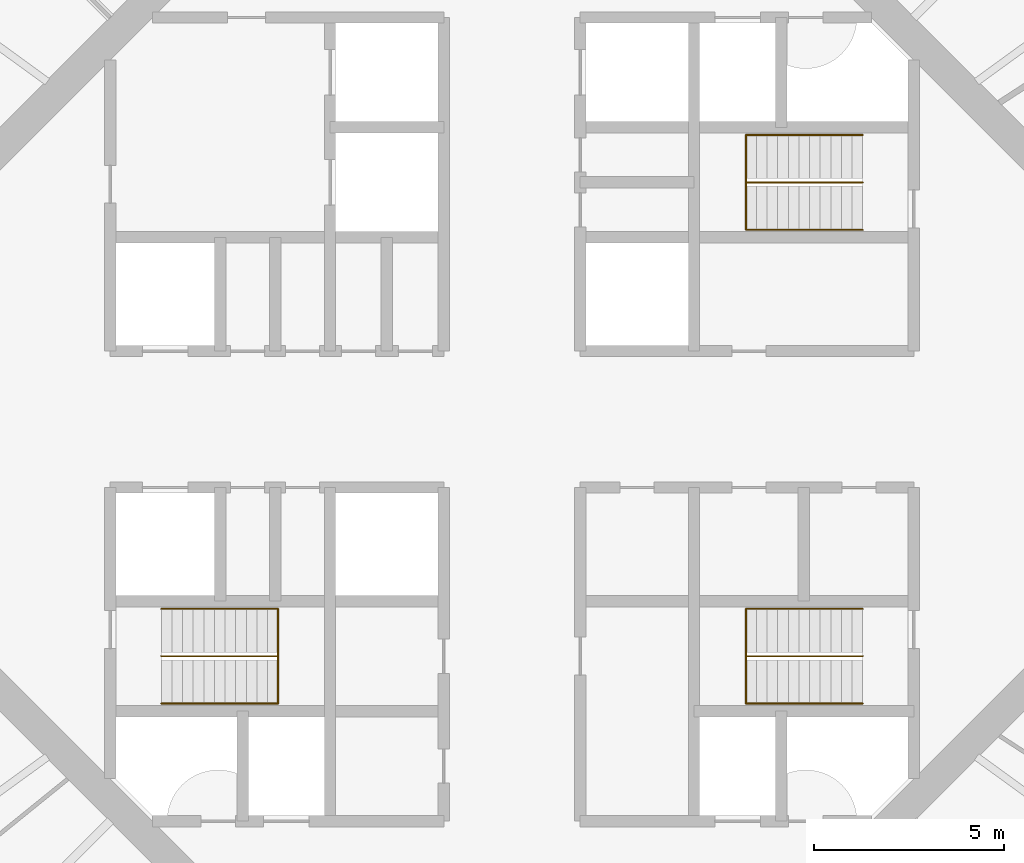
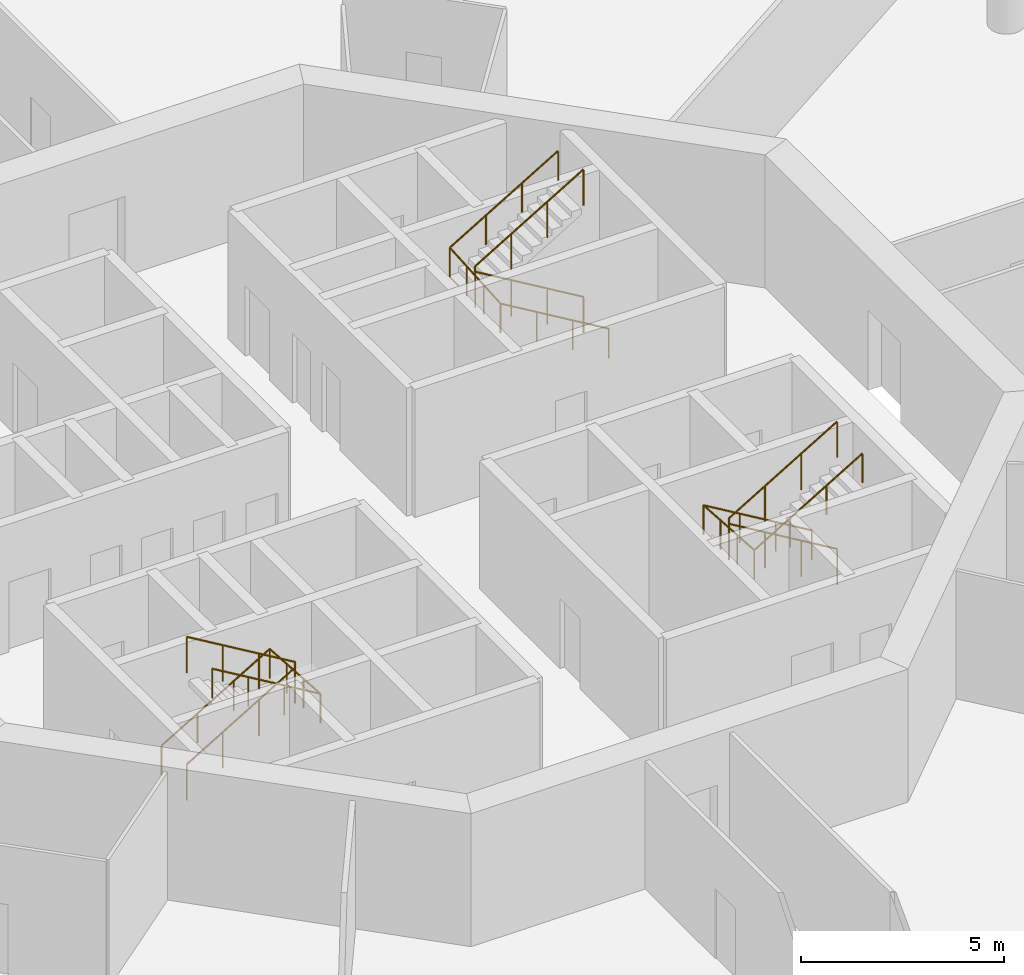
# One storey, part 13 of 13: 6 railings.
"""IFC4 building model written with IfcOpenShell, lengths in metres."""

from ifc_helpers import new_model, si_unit, direction, frame, origin, origin_2d, place, context, subcontext, project, spatial, circle, extrude, material, type_object, element, save


model = new_model("IFC4")

# Units and contexts
model_context = context("Model", 3, precision=1e-05, world=origin(), true_north=direction((0.0, 1.0)))
body_context = subcontext(model_context, "Body", "Model", "MODEL_VIEW")
ifc_project = project(units=[si_unit("LENGTHUNIT", "METRE"), si_unit("AREAUNIT", "SQUARE_METRE"), si_unit("VOLUMEUNIT", "CUBIC_METRE"), si_unit("PLANEANGLEUNIT", "RADIAN"), si_unit("MASSUNIT", "GRAM", prefix="KILO")], contexts=[model_context])

# Site, building, storey
site_placement = place(None, origin())
site = spatial("IfcSite", under=ifc_project, at=site_placement, CompositionType="ELEMENT")
building_placement = place(site_placement, origin())
building = spatial("IfcBuilding", under=site, at=building_placement, Name="Entoto Ring Tower", CompositionType="ELEMENT")
storey_placement = place(building_placement, frame((0.0, 0.0, 302.0)))
storey = spatial("IfcBuildingStorey", under=building, at=storey_placement, Name="L69", CompositionType="ELEMENT", Elevation=302.0)

# Railings
ifc_material_1 = material(Name="Steel S275", Category="steel")
railing_type_1 = type_object("IfcRailingType", Name="Stair guard 1100 mm steel", PredefinedType="GUARDRAIL", material=ifc_material_1)
railing_1_placement = place(storey_placement, frame((99.25, 86.25, 0.166748046875)))
element("IfcRailing", 1, at=railing_1_placement, inside=storey, type_object=railing_type_1, Name="Guard ST1", PredefinedType="GUARDRAIL", context=body_context, shape_type="SweptSolid", body=[
    extrude(circle(Radius=0.02392578125, at=origin_2d()), frame((0.0, 0.0, 1.076171875), z_axis=(-0.859308565015, 0.0, 0.511457515432), x_axis=(0.0, -1.0, 0.0)), (0.0, 0.0, 1.0), 3.58447265625),
    extrude(circle(Radius=0.02392578125, at=origin_2d()), frame((-3.080078125, 0.0, 2.9091796875), z_axis=(0.0, 0.0, 1.0), x_axis=(1.0, 0.0, 0.0)), (0.0, 0.0, 1.0), 0.166748046875),
    extrude(circle(Radius=0.02392578125, at=origin_2d()), frame((-3.080078125, 0.0, 3.076171875), z_axis=(0.859308565015, 0.0, 0.511457515432), x_axis=(0.0, 1.0, 0.0)), (0.0, 0.0, 1.0), 3.58447265625),
    extrude(circle(Radius=0.02099609375, at=origin_2d()), origin(), (0.0, 0.0, 1.0), 1.052001953125),
    extrude(circle(Radius=0.02099609375, at=origin_2d()), frame((-1.026611328125, 0.0, 0.611083984375)), (0.0, 0.0, 1.0), 1.052001953125),
    extrude(circle(Radius=0.02099609375, at=origin_2d()), frame((-2.053466796875, 0.0, 1.22216796875)), (0.0, 0.0, 1.0), 1.052001953125),
    extrude(circle(Radius=0.02099609375, at=origin_2d()), frame((-3.080078125, 0.0, 1.833251953125)), (0.0, 0.0, 1.0), 1.052001953125),
    extrude(circle(Radius=0.02099609375, at=origin_2d()), frame((-3.080078125, 0.0, 2.0)), (0.0, 0.0, 1.0), 1.052001953125),
    extrude(circle(Radius=0.02099609375, at=origin_2d()), frame((-2.053466796875, 0.0, 2.611083984375)), (0.0, 0.0, 1.0), 1.052001953125),
    extrude(circle(Radius=0.02099609375, at=origin_2d()), frame((-1.026611328125, 0.0, 3.22216796875)), (0.0, 0.0, 1.0), 1.052001953125),
    extrude(circle(Radius=0.02099609375, at=origin_2d()), frame((0.0, 0.0, 3.833251953125)), (0.0, 0.0, 1.0), 1.052001953125),
])
railing_2_placement = place(storey_placement, frame((80.75, 73.75, 0.166748046875)))
element("IfcRailing", 2, at=railing_2_placement, inside=storey, type_object=railing_type_1, Name="Guard ST2", PredefinedType="GUARDRAIL", context=body_context, shape_type="SweptSolid", body=[
    extrude(circle(Radius=0.02392578125, at=origin_2d()), frame((0.0, 0.0, 1.076171875), z_axis=(0.859308565015, 0.0, 0.511457515432), x_axis=(0.0, 1.0, 0.0)), (0.0, 0.0, 1.0), 3.58447265625),
    extrude(circle(Radius=0.02392578125, at=origin_2d()), frame((3.080078125, 0.0, 2.9091796875), z_axis=(0.0, 0.0, 1.0), x_axis=(1.0, 0.0, 0.0)), (0.0, 0.0, 1.0), 0.166748046875),
    extrude(circle(Radius=0.02392578125, at=origin_2d()), frame((3.080078125, 0.0, 3.076171875), z_axis=(-0.859308565015, 0.0, 0.511457515432), x_axis=(0.0, -1.0, 0.0)), (0.0, 0.0, 1.0), 3.58447265625),
    extrude(circle(Radius=0.02099609375, at=origin_2d()), origin(), (0.0, 0.0, 1.0), 1.052001953125),
    extrude(circle(Radius=0.02099609375, at=origin_2d()), frame((1.026611328125, 0.0, 0.611083984375)), (0.0, 0.0, 1.0), 1.052001953125),
    extrude(circle(Radius=0.02099609375, at=origin_2d()), frame((2.053466796875, 0.0, 1.22216796875)), (0.0, 0.0, 1.0), 1.052001953125),
    extrude(circle(Radius=0.02099609375, at=origin_2d()), frame((3.080078125, 0.0, 1.833251953125)), (0.0, 0.0, 1.0), 1.052001953125),
    extrude(circle(Radius=0.02099609375, at=origin_2d()), frame((3.080078125, 0.0, 2.0)), (0.0, 0.0, 1.0), 1.052001953125),
    extrude(circle(Radius=0.02099609375, at=origin_2d()), frame((2.053466796875, 0.0, 2.611083984375)), (0.0, 0.0, 1.0), 1.052001953125),
    extrude(circle(Radius=0.02099609375, at=origin_2d()), frame((1.026611328125, 0.0, 3.22216796875)), (0.0, 0.0, 1.0), 1.052001953125),
    extrude(circle(Radius=0.02099609375, at=origin_2d()), frame((0.0, 0.0, 3.833251953125)), (0.0, 0.0, 1.0), 1.052001953125),
])
railing_3_placement = place(storey_placement, frame((99.25, 73.75, 0.166748046875)))
element("IfcRailing", 3, at=railing_3_placement, inside=storey, type_object=railing_type_1, Name="Guard ST3", PredefinedType="GUARDRAIL", context=body_context, shape_type="SweptSolid", body=[
    extrude(circle(Radius=0.02392578125, at=origin_2d()), frame((0.0, 0.0, 1.076171875), z_axis=(-0.859308565015, 0.0, 0.511457515432), x_axis=(0.0, -1.0, 0.0)), (0.0, 0.0, 1.0), 3.58447265625),
    extrude(circle(Radius=0.02392578125, at=origin_2d()), frame((-3.080078125, 0.0, 2.9091796875), z_axis=(0.0, 0.0, 1.0), x_axis=(1.0, 0.0, 0.0)), (0.0, 0.0, 1.0), 0.166748046875),
    extrude(circle(Radius=0.02392578125, at=origin_2d()), frame((-3.080078125, 0.0, 3.076171875), z_axis=(0.859308565015, 0.0, 0.511457515432), x_axis=(0.0, 1.0, 0.0)), (0.0, 0.0, 1.0), 3.58447265625),
    extrude(circle(Radius=0.02099609375, at=origin_2d()), origin(), (0.0, 0.0, 1.0), 1.052001953125),
    extrude(circle(Radius=0.02099609375, at=origin_2d()), frame((-1.026611328125, 0.0, 0.611083984375)), (0.0, 0.0, 1.0), 1.052001953125),
    extrude(circle(Radius=0.02099609375, at=origin_2d()), frame((-2.053466796875, 0.0, 1.22216796875)), (0.0, 0.0, 1.0), 1.052001953125),
    extrude(circle(Radius=0.02099609375, at=origin_2d()), frame((-3.080078125, 0.0, 1.833251953125)), (0.0, 0.0, 1.0), 1.052001953125),
    extrude(circle(Radius=0.02099609375, at=origin_2d()), frame((-3.080078125, 0.0, 2.0)), (0.0, 0.0, 1.0), 1.052001953125),
    extrude(circle(Radius=0.02099609375, at=origin_2d()), frame((-2.053466796875, 0.0, 2.611083984375)), (0.0, 0.0, 1.0), 1.052001953125),
    extrude(circle(Radius=0.02099609375, at=origin_2d()), frame((-1.026611328125, 0.0, 3.22216796875)), (0.0, 0.0, 1.0), 1.052001953125),
    extrude(circle(Radius=0.02099609375, at=origin_2d()), frame((0.0, 0.0, 3.833251953125)), (0.0, 0.0, 1.0), 1.052001953125),
])
ifc_material_2 = material(Name="Steel S275", Category="steel")
railing_type_2 = type_object("IfcRailingType", Name="Stair handrail 900 mm steel", PredefinedType="HANDRAIL", material=ifc_material_2)
railing_4_placement = place(storey_placement, frame((99.25, 85.0, 0.166748046875)))
element("IfcRailing", 4, at=railing_4_placement, inside=storey, type_object=railing_type_2, Name="Handrail ST1", PredefinedType="HANDRAIL", context=body_context, shape_type="SweptSolid", body=[
    extrude(circle(Radius=0.02392578125, at=origin_2d()), frame((0.0, 0.0, 0.8759765625), z_axis=(-0.859308565015, 0.0, 0.511457515432), x_axis=(0.0, -1.0, 0.0)), (0.0, 0.0, 1.0), 3.58447265625),
    extrude(circle(Radius=0.02392578125, at=origin_2d()), frame((-3.080078125, 0.0, 2.708984375), z_axis=(0.0, 0.997783001586, 0.066551346688), x_axis=(-1.0, 0.0, 0.0)), (0.0, 0.0, 1.0), 2.505615234375),
    extrude(circle(Radius=0.02392578125, at=origin_2d()), frame((-3.080078125, 2.5, 2.8759765625), z_axis=(0.859308565015, 0.0, 0.511457515432), x_axis=(0.0, 1.0, 0.0)), (0.0, 0.0, 1.0), 3.58447265625),
    extrude(circle(Radius=0.02099609375, at=origin_2d()), origin(), (0.0, 0.0, 1.0), 0.851806640625),
    extrude(circle(Radius=0.02099609375, at=origin_2d()), frame((-1.026611328125, 0.0, 0.611083984375)), (0.0, 0.0, 1.0), 0.851806640625),
    extrude(circle(Radius=0.02099609375, at=origin_2d()), frame((-2.053466796875, 0.0, 1.22216796875)), (0.0, 0.0, 1.0), 0.851806640625),
    extrude(circle(Radius=0.02099609375, at=origin_2d()), frame((-3.080078125, 0.0, 1.833251953125)), (0.0, 0.0, 1.0), 0.851806640625),
    extrude(circle(Radius=0.02099609375, at=origin_2d()), frame((-3.080078125, 0.833251953125, 1.888916015625)), (0.0, 0.0, 1.0), 0.851806640625),
    extrude(circle(Radius=0.02099609375, at=origin_2d()), frame((-3.080078125, 1.666748046875, 1.9443359375)), (0.0, 0.0, 1.0), 0.851806640625),
    extrude(circle(Radius=0.02099609375, at=origin_2d()), frame((-3.080078125, 2.5, 2.0)), (0.0, 0.0, 1.0), 0.851806640625),
    extrude(circle(Radius=0.02099609375, at=origin_2d()), frame((-2.053466796875, 2.5, 2.611083984375)), (0.0, 0.0, 1.0), 0.851806640625),
    extrude(circle(Radius=0.02099609375, at=origin_2d()), frame((-1.026611328125, 2.5, 3.22216796875)), (0.0, 0.0, 1.0), 0.851806640625),
    extrude(circle(Radius=0.02099609375, at=origin_2d()), frame((0.0, 2.5, 3.833251953125)), (0.0, 0.0, 1.0), 0.851806640625),
])
railing_5_placement = place(storey_placement, frame((80.75, 75.0, 0.166748046875)))
element("IfcRailing", 5, at=railing_5_placement, inside=storey, type_object=railing_type_2, Name="Handrail ST2", PredefinedType="HANDRAIL", context=body_context, shape_type="SweptSolid", body=[
    extrude(circle(Radius=0.02392578125, at=origin_2d()), frame((0.0, 0.0, 0.8759765625), z_axis=(0.859308565015, 0.0, 0.511457515432), x_axis=(0.0, 1.0, 0.0)), (0.0, 0.0, 1.0), 3.58447265625),
    extrude(circle(Radius=0.02392578125, at=origin_2d()), frame((3.080078125, 0.0, 2.708984375), z_axis=(0.0, -0.997783001586, 0.066551346688), x_axis=(1.0, 0.0, 0.0)), (0.0, 0.0, 1.0), 2.505615234375),
    extrude(circle(Radius=0.02392578125, at=origin_2d()), frame((3.080078125, -2.5, 2.8759765625), z_axis=(-0.859308565015, 0.0, 0.511457515432), x_axis=(0.0, -1.0, 0.0)), (0.0, 0.0, 1.0), 3.58447265625),
    extrude(circle(Radius=0.02099609375, at=origin_2d()), origin(), (0.0, 0.0, 1.0), 0.851806640625),
    extrude(circle(Radius=0.02099609375, at=origin_2d()), frame((1.026611328125, 0.0, 0.611083984375)), (0.0, 0.0, 1.0), 0.851806640625),
    extrude(circle(Radius=0.02099609375, at=origin_2d()), frame((2.053466796875, 0.0, 1.22216796875)), (0.0, 0.0, 1.0), 0.851806640625),
    extrude(circle(Radius=0.02099609375, at=origin_2d()), frame((3.080078125, 0.0, 1.833251953125)), (0.0, 0.0, 1.0), 0.851806640625),
    extrude(circle(Radius=0.02099609375, at=origin_2d()), frame((3.080078125, -0.833251953125, 1.888916015625)), (0.0, 0.0, 1.0), 0.851806640625),
    extrude(circle(Radius=0.02099609375, at=origin_2d()), frame((3.080078125, -1.666748046875, 1.9443359375)), (0.0, 0.0, 1.0), 0.851806640625),
    extrude(circle(Radius=0.02099609375, at=origin_2d()), frame((3.080078125, -2.5, 2.0)), (0.0, 0.0, 1.0), 0.851806640625),
    extrude(circle(Radius=0.02099609375, at=origin_2d()), frame((2.053466796875, -2.5, 2.611083984375)), (0.0, 0.0, 1.0), 0.851806640625),
    extrude(circle(Radius=0.02099609375, at=origin_2d()), frame((1.026611328125, -2.5, 3.22216796875)), (0.0, 0.0, 1.0), 0.851806640625),
    extrude(circle(Radius=0.02099609375, at=origin_2d()), frame((0.0, -2.5, 3.833251953125)), (0.0, 0.0, 1.0), 0.851806640625),
])
railing_6_placement = place(storey_placement, frame((99.25, 75.0, 0.166748046875)))
element("IfcRailing", 6, at=railing_6_placement, inside=storey, type_object=railing_type_2, Name="Handrail ST3", PredefinedType="HANDRAIL", context=body_context, shape_type="SweptSolid", body=[
    extrude(circle(Radius=0.02392578125, at=origin_2d()), frame((0.0, 0.0, 0.8759765625), z_axis=(-0.859308565015, 0.0, 0.511457515432), x_axis=(0.0, -1.0, 0.0)), (0.0, 0.0, 1.0), 3.58447265625),
    extrude(circle(Radius=0.02392578125, at=origin_2d()), frame((-3.080078125, 0.0, 2.708984375), z_axis=(0.0, -0.997783001586, 0.066551346688), x_axis=(1.0, 0.0, 0.0)), (0.0, 0.0, 1.0), 2.505615234375),
    extrude(circle(Radius=0.02392578125, at=origin_2d()), frame((-3.080078125, -2.5, 2.8759765625), z_axis=(0.859308565015, 0.0, 0.511457515432), x_axis=(0.0, 1.0, 0.0)), (0.0, 0.0, 1.0), 3.58447265625),
    extrude(circle(Radius=0.02099609375, at=origin_2d()), origin(), (0.0, 0.0, 1.0), 0.851806640625),
    extrude(circle(Radius=0.02099609375, at=origin_2d()), frame((-1.026611328125, 0.0, 0.611083984375)), (0.0, 0.0, 1.0), 0.851806640625),
    extrude(circle(Radius=0.02099609375, at=origin_2d()), frame((-2.053466796875, 0.0, 1.22216796875)), (0.0, 0.0, 1.0), 0.851806640625),
    extrude(circle(Radius=0.02099609375, at=origin_2d()), frame((-3.080078125, 0.0, 1.833251953125)), (0.0, 0.0, 1.0), 0.851806640625),
    extrude(circle(Radius=0.02099609375, at=origin_2d()), frame((-3.080078125, -0.833251953125, 1.888916015625)), (0.0, 0.0, 1.0), 0.851806640625),
    extrude(circle(Radius=0.02099609375, at=origin_2d()), frame((-3.080078125, -1.666748046875, 1.9443359375)), (0.0, 0.0, 1.0), 0.851806640625),
    extrude(circle(Radius=0.02099609375, at=origin_2d()), frame((-3.080078125, -2.5, 2.0)), (0.0, 0.0, 1.0), 0.851806640625),
    extrude(circle(Radius=0.02099609375, at=origin_2d()), frame((-2.053466796875, -2.5, 2.611083984375)), (0.0, 0.0, 1.0), 0.851806640625),
    extrude(circle(Radius=0.02099609375, at=origin_2d()), frame((-1.026611328125, -2.5, 3.22216796875)), (0.0, 0.0, 1.0), 0.851806640625),
    extrude(circle(Radius=0.02099609375, at=origin_2d()), frame((0.0, -2.5, 3.833251953125)), (0.0, 0.0, 1.0), 0.851806640625),
])

save(model, "model.ifc")
